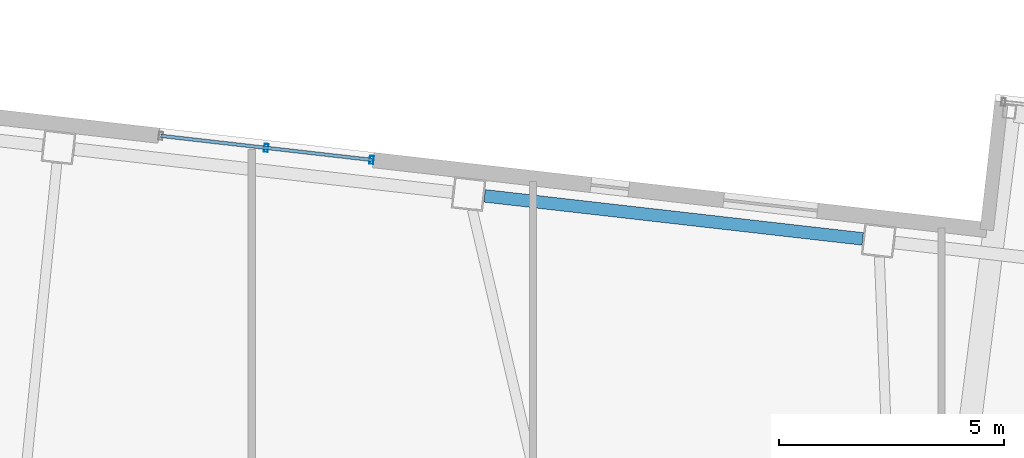
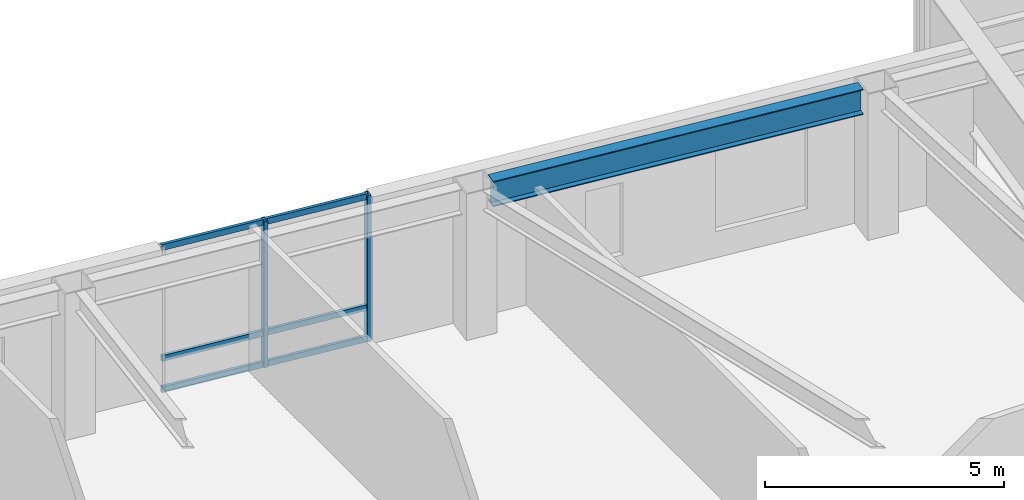
# One storey, part 10 of 23: 5 members, 1 beam, 1 element without a shape of its own.
"""IFC4 building model written with IfcOpenShell, lengths in metres."""

from ifc_helpers import new_model, si_unit, direction, frame, origin, origin_2d, place, context, subcontext, project, spatial, hollow_rectangle, i_section, extrude, material, layer, layer_set, material_profile, profile_set, type_object, element, aggregate, save


model = new_model("IFC4")

# Units and contexts
model_context = context("Model", 3, precision=1e-05, world=origin(), true_north=direction((0.0, 1.0)))
body_context = subcontext(model_context, "Body", "Model", "MODEL_VIEW")
ifc_project = project(units=[si_unit("LENGTHUNIT", "METRE"), si_unit("AREAUNIT", "SQUARE_METRE"), si_unit("VOLUMEUNIT", "CUBIC_METRE"), si_unit("PLANEANGLEUNIT", "RADIAN"), si_unit("MASSUNIT", "GRAM", prefix="KILO")], contexts=[model_context])

# Site, building, storey
site_placement = place(None, origin())
site = spatial("IfcSite", under=ifc_project, at=site_placement, CompositionType="ELEMENT")
building_placement = place(site_placement, origin())
building = spatial("IfcBuilding", under=site, at=building_placement, Name="Tavrogorsk Clinical Tower", CompositionType="ELEMENT")
storey_placement = place(building_placement, frame((0.0, 0.0, 113.39990234375)))
storey = spatial("IfcBuildingStorey", under=building, at=storey_placement, Name="L25", CompositionType="ELEMENT", Elevation=113.39990234375)

# Curtain wall, members
ifc_material_1 = material(Name="Anodised aluminium and triple IGU glazing", Category="aluminium")
ifc_layer = layer(ifc_material_1, 0.179931640625)
ifc_layer_set = layer_set([ifc_layer], Name="Anodised aluminium and triple IGU glazing")
curtain_wall_type = type_object("IfcCurtainWallType", Name="CW2_NorthSlot", PredefinedType="NOTDEFINED", material=ifc_layer_set)
curtain_wall_placement = place(storey_placement, origin())
curtain_wall = element("IfcCurtainWall", 1, at=curtain_wall_placement, inside=storey, type_object=curtain_wall_type, Name="L25 Curtain Wall CW-L25-N-SLOT-1", PredefinedType="NOTDEFINED")
ifc_material_2 = material(Name="Anodised aluminium alloy AW-6060", Category="aluminium")
ifc_material_profile_1 = material_profile(ifc_material_2, hollow_rectangle(XDim=0.090087890625, YDim=0.179931640625, WallThickness=0.00634765625, at=origin_2d()), Name="RHS-180x90x6.3")
ifc_profile_set_1 = profile_set([ifc_material_profile_1], Name="Anodised aluminium alloy AW-6060")
member_type_1 = type_object("IfcMemberType", Name="CwMullion_180x90", PredefinedType="MULLION", material=ifc_profile_set_1)
member_1_placement = place(storey_placement, frame((-1.586181640625, 23.443603515625, 0.0), z_axis=(0.0, 0.0, 1.0), x_axis=(-0.993571858269, 0.113203191016, 0.0)))
member_1 = element("IfcMember", 2, at=member_1_placement, type_object=member_type_1, Name="CW-L25-N-SLOT-1 Mullion 1", PredefinedType="MULLION", context=body_context, shape_type="SweptSolid", body=[
    extrude(hollow_rectangle(XDim=0.090087890625, YDim=0.179931640625, WallThickness=0.00634765625, at=origin_2d()), origin(), (0.0, 0.0, 1.0), 3.739990234375),
])
member_2_placement = place(storey_placement, frame((-3.929931640625, 23.71044921875, 0.0), z_axis=(0.0, 0.0, 1.0), x_axis=(-0.993571858269, 0.113203191016, 0.0)))
member_2 = element("IfcMember", 3, at=member_2_placement, type_object=member_type_1, Name="CW-L25-N-SLOT-1 Mullion 2", PredefinedType="MULLION", context=body_context, shape_type="SweptSolid", body=[
    extrude(hollow_rectangle(XDim=0.090087890625, YDim=0.179931640625, WallThickness=0.00634765625, at=origin_2d()), origin(), (0.0, 0.0, 1.0), 3.739990234375),
])
ifc_material_3 = material(Name="Anodised aluminium alloy AW-6060", Category="aluminium")
ifc_material_profile_2 = material_profile(ifc_material_3, hollow_rectangle(XDim=0.074951171875, YDim=0.14990234375, WallThickness=0.0048828125, at=origin_2d()), Name="RHS-150x75x5")
ifc_profile_set_2 = profile_set([ifc_material_profile_2], Name="Anodised aluminium alloy AW-6060")
member_type_2 = type_object("IfcMemberType", Name="CwTransom_150x75", PredefinedType="USERDEFINED", material=ifc_profile_set_2)
member_3_placement = place(storey_placement, frame((-1.586181640625, 23.443603515625, 0.050048828125), z_axis=(-0.993575136134, 0.11317441785, 0.0), x_axis=(-0.11317441785, -0.993575136134, 0.0)))
member_3 = element("IfcMember", 4, at=member_3_placement, type_object=member_type_2, Name="CW-L25-N-SLOT-1 Transom 1", ObjectType="TRANSOM", PredefinedType="USERDEFINED", context=body_context, shape_type="SweptSolid", body=[
    extrude(hollow_rectangle(XDim=0.074951171875, YDim=0.14990234375, WallThickness=0.0048828125, at=origin_2d()), origin(), (0.0, 0.0, 1.0), 4.7177734375),
])
member_4_placement = place(storey_placement, frame((-1.586181640625, 23.443603515625, 0.85009765625), z_axis=(-0.993575136134, 0.11317441785, 0.0), x_axis=(-0.11317441785, -0.993575136134, 0.0)))
member_4 = element("IfcMember", 5, at=member_4_placement, type_object=member_type_2, Name="CW-L25-N-SLOT-1 Transom 2", ObjectType="TRANSOM", PredefinedType="USERDEFINED", context=body_context, shape_type="SweptSolid", body=[
    extrude(hollow_rectangle(XDim=0.074951171875, YDim=0.14990234375, WallThickness=0.0048828125, at=origin_2d()), origin(), (0.0, 0.0, 1.0), 4.7177734375),
])
member_5_placement = place(storey_placement, frame((-1.586181640625, 23.443603515625, 3.690185546875), z_axis=(-0.993575136134, 0.11317441785, 0.0), x_axis=(-0.11317441785, -0.993575136134, 0.0)))
member_5 = element("IfcMember", 6, at=member_5_placement, type_object=member_type_2, Name="CW-L25-N-SLOT-1 Transom 3", ObjectType="TRANSOM", PredefinedType="USERDEFINED", context=body_context, shape_type="SweptSolid", body=[
    extrude(hollow_rectangle(XDim=0.074951171875, YDim=0.14990234375, WallThickness=0.0048828125, at=origin_2d()), origin(), (0.0, 0.0, 1.0), 4.7177734375),
])
aggregate(curtain_wall, [member_1, member_2, member_3, member_4, member_5])

# Beam
ifc_material_4 = material(Name="Structural steel S390", Category="steel")
ifc_material_profile_3 = material_profile(ifc_material_4, i_section(OverallWidth=0.280029296875, OverallDepth=0.64990234375, WebThickness=0.01611328125, FlangeThickness=0.02490234375, at=origin_2d()), Name="B-650x280x16x25")
ifc_profile_set_3 = profile_set([ifc_material_profile_3], Name="Structural steel S390")
beam_type = type_object("IfcBeamType", Name="SpandrelBeam_B650", PredefinedType="SPANDREL", material=ifc_profile_set_3)
beam_placement = place(storey_placement, frame((9.333984375, 21.68603515625, 3.4150390625), z_axis=(-0.99357306506, 0.113192598642, 0.0), x_axis=(-0.113192598642, -0.99357306506, 0.0)))
element("IfcBeam", 7, at=beam_placement, inside=storey, type_object=beam_type, Name="L25 Perimeter Spandrel N4-N5", PredefinedType="SPANDREL", context=body_context, shape_type="SweptSolid", body=[
    extrude(i_section(OverallWidth=0.280029296875, OverallDepth=0.64990234375, WebThickness=0.01611328125, FlangeThickness=0.02490234375, at=origin_2d()), origin(), (0.0, 0.0, 1.0), 8.46142578125),
])

save(model, "model.ifc")
